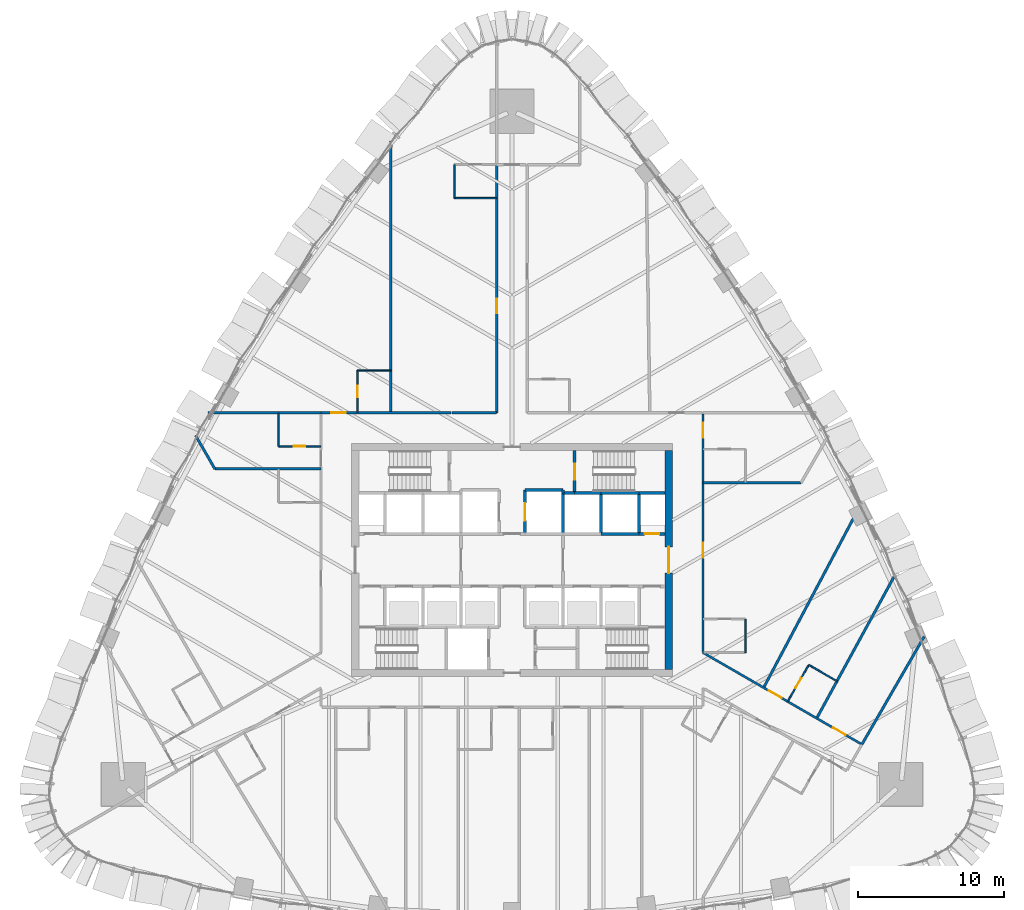
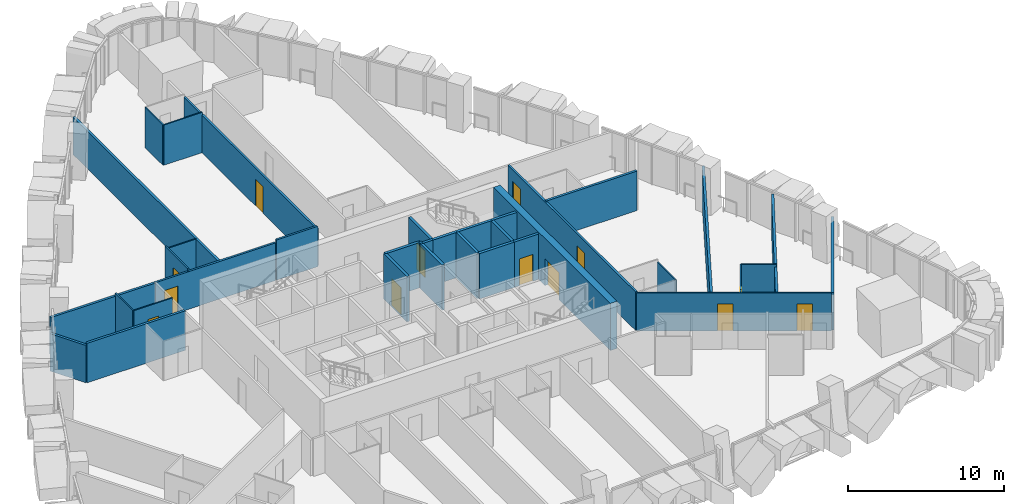
# One storey, part 16 of 22: 36 walls, 13 doors, 13 openings.
"""IFC4 building model written with IfcOpenShell, lengths in metres."""

from ifc_helpers import new_model, si_unit, direction, frame, frame_2d, origin, place, context, subcontext, project, spatial, rectangle, extrude, material, layer, layer_set, type_object, element, fill, save


model = new_model("IFC4")

# Units and contexts
model_context = context("Model", 3, precision=1e-05, world=origin(), true_north=direction((0.0, 1.0)))
body_context = subcontext(model_context, "Body", "Model", "MODEL_VIEW")
ifc_project = project(units=[si_unit("LENGTHUNIT", "METRE"), si_unit("AREAUNIT", "SQUARE_METRE"), si_unit("VOLUMEUNIT", "CUBIC_METRE"), si_unit("PLANEANGLEUNIT", "RADIAN"), si_unit("MASSUNIT", "GRAM", prefix="KILO")], contexts=[model_context])

# Site, building, storey
site_placement = place(None, origin())
site = spatial("IfcSite", under=ifc_project, at=site_placement, CompositionType="ELEMENT")
building_placement = place(site_placement, origin())
building = spatial("IfcBuilding", under=site, at=building_placement, Name="Sierra Prisma Convention Tower", CompositionType="ELEMENT")
storey_placement = place(building_placement, frame((0.0, 0.0, 66.5)))
storey = spatial("IfcBuildingStorey", under=building, at=storey_placement, Name="L12", CompositionType="ELEMENT", Elevation=66.5)

# Wall, opening, door
ifc_material_1 = material(Name="Gypsum board partition", Category="gypsum")
ifc_layer_1 = layer(ifc_material_1, 0.10009765625)
ifc_layer_set_1 = layer_set([ifc_layer_1], Name="Bathroom partition 100")
wall_type_1 = type_object("IfcWallType", Name="Bathroom partition 100", PredefinedType="PARTITIONING", material=ifc_layer_set_1)
wall_1_placement = place(storey_placement, frame((-13.1298828125, 7.800048828125, 0.0), z_axis=(0.0, 0.0, 1.0), x_axis=(-1.0, 0.0, 0.0)))
wall_1 = element("IfcWall", 1, at=wall_1_placement, inside=storey, type_object=wall_type_1, Name="Partition L12 bath 7", PredefinedType="PARTITIONING", context=body_context, shape_type="SweptSolid", body=[
    extrude(rectangle(XDim=2.8701171875, YDim=0.10009765625, at=frame_2d((1.43505859375, 0.0))), origin(), (0.0, 0.0, 1.0), 3.14990234375),
])
opening_1_placement = place(wall_1_placement, frame((1.034912109375, 0.0, 0.0)))
opening_1 = element("IfcOpeningElement", 2, at=opening_1_placement, cuts=wall_1, Name="Opening L12-D005", PredefinedType="OPENING", context=body_context, shape_type="SweptSolid", body=[
    extrude(rectangle(XDim=0.800048828125, YDim=2.10009765625, at=frame_2d((0.39990234375, 1.050048828125))), frame((0.0, 0.050048828125, 0.0), z_axis=(0.0, -1.0, 0.0), x_axis=(1.0, 0.0, 0.0)), (0.0, 0.0, 1.0), 0.10009765625),
])
ifc_material_2 = material(Name="Solid core timber door leaf", Category="wood")
door_type_1 = type_object("IfcDoorType", Name="Door 800x2100 plain", OperationType="SINGLE_SWING_LEFT", PredefinedType="DOOR", material=ifc_material_2)
door_1_placement = place(opening_1_placement, origin())
door_1 = element("IfcDoor", 3, at=door_1_placement, inside=storey, type_object=door_type_1, Name="Door L12 12", OperationType="SINGLE_SWING_RIGHT", OverallHeight=2.10009765625, OverallWidth=0.800048828125, PredefinedType="DOOR", context=body_context, shape_type="SweptSolid", body=[
    extrude(rectangle(XDim=0.800048828125, YDim=2.10009765625, at=frame_2d((0.39990234375, 1.050048828125))), frame((0.0, 0.02490234375, 0.0), z_axis=(0.0, -1.0, 0.0), x_axis=(1.0, 0.0, 0.0)), (0.0, 0.0, 1.0), 0.050048828125),
])
fill(opening_1, door_1)

# Wall
wall_2_placement = place(storey_placement, frame((-16.0, 7.800048828125, 0.0), z_axis=(0.0, 0.0, 1.0), x_axis=(0.0, 1.0, 0.0)))
element("IfcWall", 4, at=wall_2_placement, inside=storey, type_object=wall_type_1, Name="Partition L12 bath 8", PredefinedType="PARTITIONING", context=body_context, shape_type="SweptSolid", body=[
    extrude(rectangle(XDim=2.27001953125, YDim=0.10009765625, at=frame_2d((1.135009765625, 0.0))), origin(), (0.0, 0.0, 1.0), 3.14990234375),
])

# Wall, opening, door
wall_3_placement = place(storey_placement, frame((-10.60009765625, 10.1298828125, 0.0), z_axis=(0.0, 0.0, 1.0), x_axis=(0.0, 1.0, 0.0)))
wall_3 = element("IfcWall", 5, at=wall_3_placement, inside=storey, type_object=wall_type_1, Name="Partition L12 bath 11", PredefinedType="PARTITIONING", context=body_context, shape_type="SweptSolid", body=[
    extrude(rectangle(XDim=2.8701171875, YDim=0.10009765625, at=frame_2d((1.43505859375, 0.0))), origin(), (0.0, 0.0, 1.0), 3.14990234375),
])
opening_2_placement = place(wall_3_placement, frame((1.034912109375, 0.0, 0.0)))
opening_2 = element("IfcOpeningElement", 6, at=opening_2_placement, cuts=wall_3, Name="Opening L12-D004", PredefinedType="OPENING", context=body_context, shape_type="SweptSolid", body=[
    extrude(rectangle(XDim=0.800048828125, YDim=2.10009765625, at=frame_2d((0.39990234375, 1.050048828125))), frame((0.0, 0.050048828125, 0.0), z_axis=(0.0, -1.0, 0.0), x_axis=(1.0, 0.0, 0.0)), (0.0, 0.0, 1.0), 0.10009765625),
])
door_2_placement = place(opening_2_placement, origin())
door_2 = element("IfcDoor", 7, at=door_2_placement, inside=storey, type_object=door_type_1, Name="Door L12 10", OperationType="SINGLE_SWING_LEFT", OverallHeight=2.10009765625, OverallWidth=0.800048828125, PredefinedType="DOOR", context=body_context, shape_type="SweptSolid", body=[
    extrude(rectangle(XDim=0.800048828125, YDim=2.10009765625, at=frame_2d((0.39990234375, 1.050048828125))), frame((0.0, 0.02490234375, 0.0), z_axis=(0.0, -1.0, 0.0), x_axis=(1.0, 0.0, 0.0)), (0.0, 0.0, 1.0), 0.050048828125),
])
fill(opening_2, door_2)

# Walls
wall_4_placement = place(storey_placement, frame((-10.60009765625, 13.0, 0.0), z_axis=(0.0, 0.0, 1.0), x_axis=(1.0, 0.0, 0.0)))
element("IfcWall", 8, at=wall_4_placement, inside=storey, type_object=wall_type_1, Name="Partition L12 bath 12", PredefinedType="PARTITIONING", context=body_context, shape_type="SweptSolid", body=[
    extrude(rectangle(XDim=2.27001953125, YDim=0.10009765625, at=frame_2d((1.135009765625, 0.0))), origin(), (0.0, 0.0, 1.0), 2.947021484375),
])
wall_5_placement = place(storey_placement, frame((-1.080078125, 24.822509765625, 0.0), z_axis=(0.0, 0.0, 1.0), x_axis=(-1.0, 0.0, 0.0)))
element("IfcWall", 9, at=wall_5_placement, inside=storey, type_object=wall_type_1, Name="Partition L12 bath 15", PredefinedType="PARTITIONING", context=body_context, shape_type="SweptSolid", body=[
    extrude(rectangle(XDim=2.869873046875, YDim=0.10009765625, at=frame_2d((1.43505859375, 0.0))), origin(), (0.0, 0.0, 1.0), 3.14990234375),
])
wall_6_placement = place(storey_placement, frame((-3.949951171875, 24.822509765625, 0.0), z_axis=(0.0, 0.0, 1.0), x_axis=(0.0, 1.0, 0.0)))
element("IfcWall", 10, at=wall_6_placement, inside=storey, type_object=wall_type_1, Name="Partition L12 bath 16", PredefinedType="PARTITIONING", context=body_context, shape_type="SweptSolid", body=[
    extrude(rectangle(XDim=2.300048828125, YDim=0.10009765625, at=frame_2d((1.14990234375, 0.0))), origin(), (0.0, 0.0, 1.0), 3.14990234375),
])
wall_7_placement = place(storey_placement, frame((16.0, -4.05078125, 0.0), z_axis=(0.0, 0.0, 1.0), x_axis=(0.0, -1.0, 0.0)))
element("IfcWall", 11, at=wall_7_placement, inside=storey, type_object=wall_type_1, Name="Partition L12 bath 26", PredefinedType="PARTITIONING", context=body_context, shape_type="SweptSolid", body=[
    extrude(rectangle(XDim=2.300048828125, YDim=0.10009765625, at=frame_2d((1.14990234375, 0.0))), origin(), (0.0, 0.0, 1.0), 2.947021484375),
])

# Wall, opening, door
wall_8_placement = place(storey_placement, frame((18.91748046875, -9.6748046875, 0.0), z_axis=(0.0, 0.0, 1.0), x_axis=(0.499972835562, 0.866041086612, 0.0)))
wall_8 = element("IfcWall", 12, at=wall_8_placement, inside=storey, type_object=wall_type_1, Name="Partition L12 bath 32", PredefinedType="PARTITIONING", context=body_context, shape_type="SweptSolid", body=[
    extrude(rectangle(XDim=2.869873046875, YDim=0.10009765625, at=frame_2d((1.43505859375, 0.0))), origin(), (0.0, 0.0, 1.0), 3.14990234375),
])
opening_3_placement = place(wall_8_placement, frame((1.034912109375, 0.0, 0.0)))
opening_3 = element("IfcOpeningElement", 13, at=opening_3_placement, cuts=wall_8, Name="Opening L12-D014", PredefinedType="OPENING", context=body_context, shape_type="SweptSolid", body=[
    extrude(rectangle(XDim=0.800048828125, YDim=2.10009765625, at=frame_2d((0.39990234375, 1.050048828125))), frame((0.0, 0.050048828125, 0.0), z_axis=(0.0, -1.0, 0.0), x_axis=(1.0, 0.0, 0.0)), (0.0, 0.0, 1.0), 0.10009765625),
])
door_3_placement = place(opening_3_placement, origin())
door_3 = element("IfcDoor", 14, at=door_3_placement, inside=storey, type_object=door_type_1, Name="Door L12 35", OperationType="SINGLE_SWING_RIGHT", OverallHeight=2.10009765625, OverallWidth=0.800048828125, PredefinedType="DOOR", context=body_context, shape_type="SweptSolid", body=[
    extrude(rectangle(XDim=0.800048828125, YDim=2.10009765625, at=frame_2d((0.39990234375, 1.050048828125))), frame((0.0, 0.02490234375, 0.0), z_axis=(0.0, -1.0, 0.0), x_axis=(1.0, 0.0, 0.0)), (0.0, 0.0, 1.0), 0.050048828125),
])
fill(opening_3, door_3)

# Walls
wall_9_placement = place(storey_placement, frame((20.352294921875, -7.189453125, 0.0), z_axis=(0.0, 0.0, 1.0), x_axis=(0.866017224141, -0.500014167291, 0.0)))
element("IfcWall", 15, at=wall_9_placement, inside=storey, type_object=wall_type_1, Name="Partition L12 bath 33", PredefinedType="PARTITIONING", context=body_context, shape_type="SweptSolid", body=[
    extrude(rectangle(XDim=2.27001953125, YDim=0.10009765625, at=frame_2d((1.135009765625, 0.0))), origin(), (0.0, 0.0, 1.0), 3.14990234375),
])
ifc_material_3 = material(Name="Concrete C30/37", Category="concrete")
ifc_layer_2 = layer(ifc_material_3, 0.199951171875)
ifc_layer_set_2 = layer_set([ifc_layer_2], Name="Core wall RC 200 C30/37")
wall_type_2 = type_object("IfcWallType", Name="Core wall RC 200 C30/37", PredefinedType="SOLIDWALL", material=ifc_layer_set_2)
wall_10_placement = place(storey_placement, frame((3.5, 4.60009765625, 0.0), z_axis=(0.0, 0.0, 1.0), x_axis=(0.0, 1.0, 0.0)))
element("IfcWall", 16, at=wall_10_placement, inside=storey, type_object=wall_type_2, Name="Core wall L12 39", PredefinedType="SOLIDWALL", context=body_context, shape_type="SweptSolid", body=[
    extrude(rectangle(XDim=0.199951171875, YDim=0.199951171875, at=frame_2d((0.10009765625, 0.0))), origin(), (0.0, 0.0, 1.0), 3.550048828125),
])
wall_11_placement = place(storey_placement, frame((3.5, 4.800048828125, 0.0), z_axis=(0.0, 0.0, 1.0), x_axis=(-1.0, 0.0, 0.0)))
element("IfcWall", 17, at=wall_11_placement, inside=storey, type_object=wall_type_2, Name="Core wall L12 40", PredefinedType="SOLIDWALL", context=body_context, shape_type="SweptSolid", body=[
    extrude(rectangle(XDim=2.60009765625, YDim=0.199951171875, at=frame_2d((1.300048828125, 0.0))), origin(), (0.0, 0.0, 1.0), 3.550048828125),
])

# Wall, opening, door
wall_12_placement = place(storey_placement, frame((0.89990234375, 4.800048828125, 0.0), z_axis=(0.0, 0.0, 1.0), x_axis=(0.0, -1.0, 0.0)))
wall_12 = element("IfcWall", 18, at=wall_12_placement, inside=storey, type_object=wall_type_2, Name="Core wall L12 41", PredefinedType="SOLIDWALL", context=body_context, shape_type="SweptSolid", body=[
    extrude(rectangle(XDim=3.0, YDim=0.199951171875, at=frame_2d((1.5, 0.0))), origin(), (0.0, 0.0, 1.0), 3.550048828125),
])
opening_4_placement = place(wall_12_placement, frame((0.89990234375, 0.0, 0.0)))
opening_4 = element("IfcOpeningElement", 19, at=opening_4_placement, cuts=wall_12, Name="Opening L12-D023", PredefinedType="OPENING", context=body_context, shape_type="SweptSolid", body=[
    extrude(rectangle(XDim=1.199951171875, YDim=2.10009765625, at=frame_2d((0.60009765625, 1.050048828125))), frame((0.0, 0.10009765625, 0.0), z_axis=(0.0, -1.0, 0.0), x_axis=(1.0, 0.0, 0.0)), (0.0, 0.0, 1.0), 0.199951171875),
])
ifc_material_4 = material(Name="Steel fire door leaf", Category="steel")
door_type_2 = type_object("IfcDoorType", Name="Door 1200x2100 EI 90 sliding lift landing", OperationType="SLIDING_TO_LEFT", PredefinedType="DOOR", material=ifc_material_4)
door_4_placement = place(opening_4_placement, origin())
door_4 = element("IfcDoor", 20, at=door_4_placement, inside=storey, type_object=door_type_2, Name="Door L12 45", OperationType="SLIDING_TO_RIGHT", OverallHeight=2.10009765625, OverallWidth=1.199951171875, PredefinedType="DOOR", context=body_context, shape_type="SweptSolid", body=[
    extrude(rectangle(XDim=1.199951171875, YDim=2.10009765625, at=frame_2d((0.60009765625, 1.050048828125))), frame((0.0, 0.02490234375, 0.0), z_axis=(0.0, -1.0, 0.0), x_axis=(1.0, 0.0, 0.0)), (0.0, 0.0, 1.0), 0.050048828125),
])
fill(opening_4, door_4)

# Walls
wall_13_placement = place(storey_placement, frame((3.5, 1.800048828125, 0.0), z_axis=(0.0, 0.0, 1.0), x_axis=(0.0, 1.0, 0.0)))
element("IfcWall", 21, at=wall_13_placement, inside=storey, type_object=wall_type_2, Name="Core wall L12 51", PredefinedType="SOLIDWALL", context=body_context, shape_type="SweptSolid", body=[
    extrude(rectangle(XDim=2.800048828125, YDim=0.199951171875, at=frame_2d((1.39990234375, 0.0))), origin(), (0.0, 0.0, 1.0), 3.550048828125),
])
wall_14_placement = place(storey_placement, frame((4.300048828125, 4.60009765625, 0.0), z_axis=(0.0, 0.0, 1.0), x_axis=(-1.0, 0.0, 0.0)))
element("IfcWall", 22, at=wall_14_placement, inside=storey, type_object=wall_type_2, Name="Core wall L12 52", PredefinedType="SOLIDWALL", context=body_context, shape_type="SweptSolid", body=[
    extrude(rectangle(XDim=0.800048828125, YDim=0.199951171875, at=frame_2d((0.39990234375, 0.0))), origin(), (0.0, 0.0, 1.0), 3.550048828125),
])
wall_15_placement = place(storey_placement, frame((6.10009765625, 4.60009765625, 0.0), z_axis=(0.0, 0.0, 1.0), x_axis=(-1.0, 0.0, 0.0)))
element("IfcWall", 23, at=wall_15_placement, inside=storey, type_object=wall_type_2, Name="Core wall L12 53", PredefinedType="SOLIDWALL", context=body_context, shape_type="SweptSolid", body=[
    extrude(rectangle(XDim=1.800048828125, YDim=0.199951171875, at=frame_2d((0.89990234375, 0.0))), origin(), (0.0, 0.0, 1.0), 3.550048828125),
])

# Wall, opening, door
wall_16_placement = place(storey_placement, frame((4.300048828125, 7.5, 0.0), z_axis=(0.0, 0.0, 1.0), x_axis=(0.0, -1.0, 0.0)))
wall_16 = element("IfcWall", 24, at=wall_16_placement, inside=storey, type_object=wall_type_2, Name="Core wall L12 54", PredefinedType="SOLIDWALL", context=body_context, shape_type="SweptSolid", body=[
    extrude(rectangle(XDim=2.89990234375, YDim=0.199951171875, at=frame_2d((1.449951171875, 0.0))), origin(), (0.0, 0.0, 1.0), 3.550048828125),
])
opening_5_placement = place(wall_16_placement, frame((0.89990234375, 0.0, 0.0)))
opening_5 = element("IfcOpeningElement", 25, at=opening_5_placement, cuts=wall_16, Name="Opening L12-D036", PredefinedType="OPENING", context=body_context, shape_type="SweptSolid", body=[
    extrude(rectangle(XDim=1.10009765625, YDim=2.10009765625, at=frame_2d((0.550048828125, 1.050048828125))), frame((0.0, 0.10009765625, 0.0), z_axis=(0.0, -1.0, 0.0), x_axis=(1.0, 0.0, 0.0)), (0.0, 0.0, 1.0), 0.199951171875),
])
ifc_material_5 = material(Name="Steel fire door leaf", Category="steel")
door_type_3 = type_object("IfcDoorType", Name="Door 1100x2100 FD90S", OperationType="SINGLE_SWING_LEFT", PredefinedType="DOOR", material=ifc_material_5)
door_5_placement = place(opening_5_placement, origin())
door_5 = element("IfcDoor", 26, at=door_5_placement, inside=storey, type_object=door_type_3, Name="Door L12 58", OperationType="SINGLE_SWING_RIGHT", OverallHeight=2.10009765625, OverallWidth=1.10009765625, PredefinedType="DOOR", context=body_context, shape_type="SweptSolid", body=[
    extrude(rectangle(XDim=1.10009765625, YDim=2.10009765625, at=frame_2d((0.550048828125, 1.050048828125))), frame((0.0, 0.02490234375, 0.0), z_axis=(0.0, -1.0, 0.0), x_axis=(1.0, 0.0, 0.0)), (0.0, 0.0, 1.0), 0.050048828125),
])
fill(opening_5, door_5)

# Walls
wall_17_placement = place(storey_placement, frame((8.699951171875, 1.800048828125, 0.0), z_axis=(0.0, 0.0, 1.0), x_axis=(-1.0, 0.0, 0.0)))
element("IfcWall", 27, at=wall_17_placement, inside=storey, type_object=wall_type_2, Name="Core wall L12 61", PredefinedType="SOLIDWALL", context=body_context, shape_type="SweptSolid", body=[
    extrude(rectangle(XDim=2.599853515625, YDim=0.199951171875, at=frame_2d((1.2998046875, 0.0))), origin(), (0.0, 0.0, 1.0), 3.550048828125),
])
wall_18_placement = place(storey_placement, frame((6.10009765625, 1.800048828125, 0.0), z_axis=(0.0, 0.0, 1.0), x_axis=(0.0, 1.0, 0.0)))
element("IfcWall", 28, at=wall_18_placement, inside=storey, type_object=wall_type_2, Name="Core wall L12 62", PredefinedType="SOLIDWALL", context=body_context, shape_type="SweptSolid", body=[
    extrude(rectangle(XDim=2.800048828125, YDim=0.199951171875, at=frame_2d((1.39990234375, 0.0))), origin(), (0.0, 0.0, 1.0), 3.550048828125),
])
wall_19_placement = place(storey_placement, frame((8.699951171875, 4.60009765625, 0.0), z_axis=(0.0, 0.0, 1.0), x_axis=(-1.0, 0.0, 0.0)))
element("IfcWall", 29, at=wall_19_placement, inside=storey, type_object=wall_type_2, Name="Core wall L12 63", PredefinedType="SOLIDWALL", context=body_context, shape_type="SweptSolid", body=[
    extrude(rectangle(XDim=2.599853515625, YDim=0.199951171875, at=frame_2d((1.2998046875, 0.0))), origin(), (0.0, 0.0, 1.0), 3.550048828125),
])

# Wall, opening, door
wall_20_placement = place(storey_placement, frame((10.5, 1.800048828125, 0.0), z_axis=(0.0, 0.0, 1.0), x_axis=(-1.0, 0.0, 0.0)))
wall_20 = element("IfcWall", 30, at=wall_20_placement, inside=storey, type_object=wall_type_2, Name="Core wall L12 67", PredefinedType="SOLIDWALL", context=body_context, shape_type="SweptSolid", body=[
    extrude(rectangle(XDim=1.800048828125, YDim=0.199951171875, at=frame_2d((0.89990234375, 0.0))), origin(), (0.0, 0.0, 1.0), 3.550048828125),
])
opening_6_placement = place(wall_20_placement, frame((0.39990234375, 0.0, 0.0)))
opening_6 = element("IfcOpeningElement", 31, at=opening_6_placement, cuts=wall_20, Name="Opening L12-D032", PredefinedType="OPENING", context=body_context, shape_type="SweptSolid", body=[
    extrude(rectangle(XDim=1.0, YDim=2.10009765625, at=frame_2d((0.5, 1.050048828125))), frame((0.0, 0.10009765625, 0.0), z_axis=(0.0, -1.0, 0.0), x_axis=(1.0, 0.0, 0.0)), (0.0, 0.0, 1.0), 0.199951171875),
])
ifc_material_6 = material(Name="Steel fire door leaf", Category="steel")
door_type_4 = type_object("IfcDoorType", Name="Door 1000x2100 FD60S", OperationType="SINGLE_SWING_LEFT", PredefinedType="DOOR", material=ifc_material_6)
door_6_placement = place(opening_6_placement, origin())
door_6 = element("IfcDoor", 32, at=door_6_placement, inside=storey, type_object=door_type_4, Name="Door L12 54", OperationType="SINGLE_SWING_RIGHT", OverallHeight=2.10009765625, OverallWidth=1.0, PredefinedType="DOOR", context=body_context, shape_type="SweptSolid", body=[
    extrude(rectangle(XDim=1.0, YDim=2.10009765625, at=frame_2d((0.5, 1.050048828125))), frame((0.0, 0.02490234375, 0.0), z_axis=(0.0, -1.0, 0.0), x_axis=(1.0, 0.0, 0.0)), (0.0, 0.0, 1.0), 0.050048828125),
])
fill(opening_6, door_6)

# Walls
wall_21_placement = place(storey_placement, frame((8.699951171875, 4.60009765625, 0.0), z_axis=(0.0, 0.0, 1.0), x_axis=(0.0, -1.0, 0.0)))
element("IfcWall", 33, at=wall_21_placement, inside=storey, type_object=wall_type_2, Name="Core wall L12 68", PredefinedType="SOLIDWALL", context=body_context, shape_type="SweptSolid", body=[
    extrude(rectangle(XDim=2.800048828125, YDim=0.199951171875, at=frame_2d((1.39990234375, 0.0))), origin(), (0.0, 0.0, 1.0), 3.550048828125),
])
wall_22_placement = place(storey_placement, frame((10.5, 4.60009765625, 0.0), z_axis=(0.0, 0.0, 1.0), x_axis=(-1.0, 0.0, 0.0)))
element("IfcWall", 34, at=wall_22_placement, inside=storey, type_object=wall_type_2, Name="Core wall L12 69", PredefinedType="SOLIDWALL", context=body_context, shape_type="SweptSolid", body=[
    extrude(rectangle(XDim=1.800048828125, YDim=0.199951171875, at=frame_2d((0.89990234375, 0.0))), origin(), (0.0, 0.0, 1.0), 3.550048828125),
])

# Wall, opening, door
ifc_material_7 = material(Name="Concrete C60/75", Category="concrete")
ifc_layer_3 = layer(ifc_material_7, 0.5)
ifc_layer_set_3 = layer_set([ifc_layer_3], Name="Core wall RC 500 C60/75")
wall_type_3 = type_object("IfcWallType", Name="Core wall RC 500 C60/75", PredefinedType="SHEAR", material=ifc_layer_set_3)
wall_23_placement = place(storey_placement, frame((10.75, -7.5, 0.0), z_axis=(0.0, 0.0, 1.0), x_axis=(0.0, 1.0, 0.0)))
wall_23 = element("IfcWall", 35, at=wall_23_placement, inside=storey, type_object=wall_type_3, Name="Core wall E L12", PredefinedType="SHEAR", context=body_context, shape_type="SweptSolid", body=[
    extrude(rectangle(XDim=15.0, YDim=0.5, at=frame_2d((7.5, 0.0))), origin(), (0.0, 0.0, 1.0), 3.699951171875),
])
opening_7_placement = place(wall_23_placement, frame((6.60009765625, 0.0, 0.0)))
opening_7 = element("IfcOpeningElement", 36, at=opening_7_placement, cuts=wall_23, Name="Opening L12-D061", PredefinedType="OPENING", context=body_context, shape_type="SweptSolid", body=[
    extrude(rectangle(XDim=1.800048828125, YDim=2.10009765625, at=frame_2d((0.89990234375, 1.050048828125))), frame((0.0, 0.25, 0.0), z_axis=(0.0, -1.0, 0.0), x_axis=(1.0, 0.0, 0.0)), (0.0, 0.0, 1.0), 0.5),
])
ifc_material_8 = material(Name="Steel fire door leaf", Category="steel")
door_type_5 = type_object("IfcDoorType", Name="Door 1800x2100 FD60S", OperationType="DOUBLE_DOOR_SINGLE_SWING", PredefinedType="DOOR", material=ifc_material_8)
door_7_placement = place(opening_7_placement, origin())
door_7 = element("IfcDoor", 37, at=door_7_placement, inside=storey, type_object=door_type_5, Name="Door L12 62", OperationType="DOUBLE_DOOR_SINGLE_SWING", OverallHeight=2.10009765625, OverallWidth=1.800048828125, PredefinedType="DOOR", context=body_context, shape_type="SweptSolid", body=[
    extrude(rectangle(XDim=1.800048828125, YDim=2.10009765625, at=frame_2d((0.89990234375, 1.050048828125))), frame((0.0, 0.02490234375, 0.0), z_axis=(0.0, -1.0, 0.0), x_axis=(1.0, 0.0, 0.0)), (0.0, 0.0, 1.0), 0.050048828125),
])
fill(opening_7, door_7)

ifc_material_9 = material(Name="Gypsum board partition", Category="gypsum")
ifc_layer_4 = layer(ifc_material_9, 0.14990234375)
ifc_layer_set_4 = layer_set([ifc_layer_4], Name="Corridor wall 150 gypsum EI 60")
wall_type_4 = type_object("IfcWallType", Name="Corridor wall 150 gypsum EI 60", PredefinedType="PARTITIONING", material=ifc_layer_set_4)
wall_24_placement = place(storey_placement, frame((-4.179931640625, 10.10009765625, 0.0), z_axis=(0.0, 0.0, 1.0), x_axis=(-1.0, 0.0, 0.0)))
wall_24 = element("IfcWall", 38, at=wall_24_placement, inside=storey, type_object=wall_type_4, Name="Partition L12 corr 6", PredefinedType="PARTITIONING", context=body_context, shape_type="SweptSolid", body=[
    extrude(rectangle(XDim=8.920166015625, YDim=0.14990234375, at=frame_2d((4.4599609375, 0.0))), origin(), (0.0, 0.0, 1.0), 2.947021484375),
])
opening_8_placement = place(wall_24_placement, frame((7.22998046875, 0.0, 0.0)))
opening_8 = element("IfcOpeningElement", 39, at=opening_8_placement, cuts=wall_24, Name="Opening L12-D044", PredefinedType="OPENING", context=body_context, shape_type="SweptSolid", body=[
    extrude(rectangle(XDim=1.0, YDim=2.10009765625, at=frame_2d((0.5, 1.050048828125))), frame((0.0, 0.074951171875, 0.0), z_axis=(0.0, -1.0, 0.0), x_axis=(1.0, 0.0, 0.0)), (0.0, 0.0, 1.0), 0.14990234375),
])
ifc_material_10 = material(Name="Steel fire door leaf", Category="steel")
door_type_6 = type_object("IfcDoorType", Name="Door 1000x2100 FD30S", OperationType="SINGLE_SWING_LEFT", PredefinedType="DOOR", material=ifc_material_10)
door_8_placement = place(opening_8_placement, origin())
door_8 = element("IfcDoor", 40, at=door_8_placement, inside=storey, type_object=door_type_6, Name="Door L12 9", OperationType="SINGLE_SWING_RIGHT", OverallHeight=2.10009765625, OverallWidth=1.0, PredefinedType="DOOR", context=body_context, shape_type="SweptSolid", body=[
    extrude(rectangle(XDim=1.0, YDim=2.10009765625, at=frame_2d((0.5, 1.050048828125))), frame((0.0, 0.02490234375, 0.0), z_axis=(0.0, -1.0, 0.0), x_axis=(1.0, 0.0, 0.0)), (0.0, 0.0, 1.0), 0.050048828125),
])
fill(opening_8, door_8)

wall_25_placement = place(storey_placement, frame((-1.050048828125, 27.1025390625, 0.0), z_axis=(0.0, 0.0, 1.0), x_axis=(0.0, -1.0, 0.0)))
wall_25 = element("IfcWall", 41, at=wall_25_placement, inside=storey, type_object=wall_type_4, Name="Partition L12 corr 9", PredefinedType="PARTITIONING", context=body_context, shape_type="SweptSolid", body=[
    extrude(rectangle(XDim=17.00244140625, YDim=0.14990234375, at=frame_2d((8.501220703125, 0.0))), origin(), (0.0, 0.0, 1.0), 2.947021484375),
])
opening_9_placement = place(wall_25_placement, frame((9.19140625, 0.0, 0.0)))
opening_9 = element("IfcOpeningElement", 42, at=opening_9_placement, cuts=wall_25, Name="Opening L12-D043", PredefinedType="OPENING", context=body_context, shape_type="SweptSolid", body=[
    extrude(rectangle(XDim=1.0, YDim=2.10009765625, at=frame_2d((0.5, 1.050048828125))), frame((0.0, 0.074951171875, 0.0), z_axis=(0.0, -1.0, 0.0), x_axis=(1.0, 0.0, 0.0)), (0.0, 0.0, 1.0), 0.14990234375),
])
door_9_placement = place(opening_9_placement, origin())
door_9 = element("IfcDoor", 43, at=door_9_placement, inside=storey, type_object=door_type_6, Name="Door L12 7", OperationType="SINGLE_SWING_RIGHT", OverallHeight=2.10009765625, OverallWidth=1.0, PredefinedType="DOOR", context=body_context, shape_type="SweptSolid", body=[
    extrude(rectangle(XDim=1.0, YDim=2.10009765625, at=frame_2d((0.5, 1.050048828125))), frame((0.0, 0.02490234375, 0.0), z_axis=(0.0, -1.0, 0.0), x_axis=(1.0, 0.0, 0.0)), (0.0, 0.0, 1.0), 0.050048828125),
])
fill(opening_9, door_9)

# Wall
wall_26_placement = place(storey_placement, frame((-1.050048828125, 10.10009765625, 0.0), z_axis=(0.0, 0.0, 1.0), x_axis=(-1.0, 0.0, 0.0)))
element("IfcWall", 44, at=wall_26_placement, inside=storey, type_object=wall_type_4, Name="Partition L12 corr 10", PredefinedType="PARTITIONING", context=body_context, shape_type="SweptSolid", body=[
    extrude(rectangle(XDim=3.050048828125, YDim=0.14990234375, at=frame_2d((1.52490234375, 0.0))), origin(), (0.0, 0.0, 1.0), 3.14990234375),
])

# Wall, openings, doors
wall_27_placement = place(storey_placement, frame((23.92724609375, -12.60205078125, 0.0), z_axis=(0.0, 0.0, 1.0), x_axis=(-0.866019736132, 0.500009816534, 0.0)))
wall_27 = element("IfcWall", 45, at=wall_27_placement, inside=storey, type_object=wall_type_4, Name="Partition L12 corr 16", PredefinedType="PARTITIONING", context=body_context, shape_type="SweptSolid", body=[
    extrude(rectangle(XDim=12.502197265625, YDim=0.14990234375, at=frame_2d((6.2509765625, 0.0))), origin(), (0.0, 0.0, 1.0), 2.947021484375),
])
opening_10_placement = place(wall_27_placement, frame((1.211181640625, 0.0, 0.0)))
opening_10 = element("IfcOpeningElement", 46, at=opening_10_placement, cuts=wall_27, Name="Opening L12-D058", PredefinedType="OPENING", context=body_context, shape_type="SweptSolid", body=[
    extrude(rectangle(XDim=1.0, YDim=2.10009765625, at=frame_2d((0.5, 1.050048828125))), frame((0.0, 0.074951171875, 0.0), z_axis=(0.0, -1.0, 0.0), x_axis=(1.0, 0.0, 0.0)), (0.0, 0.0, 1.0), 0.14990234375),
])
opening_11_placement = place(wall_27_placement, frame((6.30224609375, 0.0, 0.0)))
opening_11 = element("IfcOpeningElement", 47, at=opening_11_placement, cuts=wall_27, Name="Opening L12-D059", PredefinedType="OPENING", context=body_context, shape_type="SweptSolid", body=[
    extrude(rectangle(XDim=1.0, YDim=2.10009765625, at=frame_2d((0.5, 1.050048828125))), frame((0.0, 0.074951171875, 0.0), z_axis=(0.0, -1.0, 0.0), x_axis=(1.0, 0.0, 0.0)), (0.0, 0.0, 1.0), 0.14990234375),
])
door_10_placement = place(opening_10_placement, origin())
door_10 = element("IfcDoor", 48, at=door_10_placement, inside=storey, type_object=door_type_6, Name="Door L12 33", OperationType="SINGLE_SWING_LEFT", OverallHeight=2.10009765625, OverallWidth=1.0, PredefinedType="DOOR", context=body_context, shape_type="SweptSolid", body=[
    extrude(rectangle(XDim=1.0, YDim=2.10009765625, at=frame_2d((0.5, 1.050048828125))), frame((0.0, 0.02490234375, 0.0), z_axis=(0.0, -1.0, 0.0), x_axis=(1.0, 0.0, 0.0)), (0.0, 0.0, 1.0), 0.050048828125),
])
fill(opening_10, door_10)
door_11_placement = place(opening_11_placement, origin())
door_11 = element("IfcDoor", 49, at=door_11_placement, inside=storey, type_object=door_type_6, Name="Door L12 34", OperationType="SINGLE_SWING_LEFT", OverallHeight=2.10009765625, OverallWidth=1.0, PredefinedType="DOOR", context=body_context, shape_type="SweptSolid", body=[
    extrude(rectangle(XDim=1.0, YDim=2.10009765625, at=frame_2d((0.5, 1.050048828125))), frame((0.0, 0.02490234375, 0.0), z_axis=(0.0, -1.0, 0.0), x_axis=(1.0, 0.0, 0.0)), (0.0, 0.0, 1.0), 0.050048828125),
])
fill(opening_11, door_11)

wall_28_placement = place(storey_placement, frame((13.10009765625, -6.350830078125, 0.0), z_axis=(0.0, 0.0, 1.0), x_axis=(0.0, 1.0, 0.0)))
wall_28 = element("IfcWall", 50, at=wall_28_placement, inside=storey, type_object=wall_type_4, Name="Partition L12 corr 17", PredefinedType="PARTITIONING", context=body_context, shape_type="SweptSolid", body=[
    extrude(rectangle(XDim=16.370849609375, YDim=0.14990234375, at=frame_2d((8.185546875, 0.0))), origin(), (0.0, 0.0, 1.0), 3.01708984375),
])
opening_12_placement = place(wall_28_placement, frame((14.7509765625, 0.0, 0.0)))
opening_12 = element("IfcOpeningElement", 51, at=opening_12_placement, cuts=wall_28, Name="Opening L12-D039", PredefinedType="OPENING", context=body_context, shape_type="SweptSolid", body=[
    extrude(rectangle(XDim=1.0, YDim=2.10009765625, at=frame_2d((0.5, 1.050048828125))), frame((0.0, 0.074951171875, 0.0), z_axis=(0.0, -1.0, 0.0), x_axis=(1.0, 0.0, 0.0)), (0.0, 0.0, 1.0), 0.14990234375),
])
opening_13_placement = place(wall_28_placement, frame((6.525390625, 0.0, 0.0)))
opening_13 = element("IfcOpeningElement", 52, at=opening_13_placement, cuts=wall_28, Name="Opening L12-D060", PredefinedType="OPENING", context=body_context, shape_type="SweptSolid", body=[
    extrude(rectangle(XDim=1.0, YDim=2.10009765625, at=frame_2d((0.5, 1.050048828125))), frame((0.0, 0.074951171875, 0.0), z_axis=(0.0, -1.0, 0.0), x_axis=(1.0, 0.0, 0.0)), (0.0, 0.0, 1.0), 0.14990234375),
])
door_12_placement = place(opening_12_placement, origin())
door_12 = element("IfcDoor", 53, at=door_12_placement, inside=storey, type_object=door_type_6, Name="Door L12 1", OperationType="SINGLE_SWING_LEFT", OverallHeight=2.10009765625, OverallWidth=1.0, PredefinedType="DOOR", context=body_context, shape_type="SweptSolid", body=[
    extrude(rectangle(XDim=1.0, YDim=2.10009765625, at=frame_2d((0.5, 1.050048828125))), frame((0.0, 0.02490234375, 0.0), z_axis=(0.0, -1.0, 0.0), x_axis=(1.0, 0.0, 0.0)), (0.0, 0.0, 1.0), 0.050048828125),
])
fill(opening_12, door_12)
door_13_placement = place(opening_13_placement, origin())
door_13 = element("IfcDoor", 54, at=door_13_placement, inside=storey, type_object=door_type_6, Name="Door L12 36", OperationType="SINGLE_SWING_RIGHT", OverallHeight=2.10009765625, OverallWidth=1.0, PredefinedType="DOOR", context=body_context, shape_type="SweptSolid", body=[
    extrude(rectangle(XDim=1.0, YDim=2.10009765625, at=frame_2d((0.5, 1.050048828125))), frame((0.0, 0.02490234375, 0.0), z_axis=(0.0, -1.0, 0.0), x_axis=(1.0, 0.0, 0.0)), (0.0, 0.0, 1.0), 0.050048828125),
])
fill(opening_13, door_13)

# Walls
ifc_material_11 = material(Name="Acoustic gypsum board partition", Category="gypsum")
ifc_layer_5 = layer(ifc_material_11, 0.175048828125)
ifc_layer_set_5 = layer_set([ifc_layer_5], Name="Guest room party wall 175 acoustic EI 60")
wall_type_5 = type_object("IfcWallType", Name="Guest room party wall 175 acoustic EI 60", PredefinedType="PARTITIONING", material=ifc_layer_set_5)
wall_29_placement = place(storey_placement, frame((-13.10009765625, 6.2490234375, 0.0), z_axis=(0.0, 0.0, 1.0), x_axis=(-1.0, 0.0, 0.0)))
element("IfcWall", 55, at=wall_29_placement, inside=storey, type_object=wall_type_5, Name="Partition L12 hparty 4", PredefinedType="PARTITIONING", context=body_context, shape_type="SweptSolid", body=[
    extrude(rectangle(XDim=7.2744140625, YDim=0.175048828125, at=frame_2d((3.63720703125, 0.0))), origin(), (0.0, 0.0, 1.0), 3.093017578125),
])
wall_30_placement = place(storey_placement, frame((-20.37451171875, 6.2490234375, 0.0), z_axis=(0.0, 0.0, 1.0), x_axis=(-0.499977931934, 0.866038144413, 0.0)))
element("IfcWall", 56, at=wall_30_placement, inside=storey, type_object=wall_type_5, Name="Partition L12 hparty 5", PredefinedType="PARTITIONING", context=body_context, shape_type="SweptSolid", body=[
    extrude(rectangle(XDim=2.64697265625, YDim=0.175048828125, at=frame_2d((1.323486328125, 0.0))), origin(), (0.0, 0.0, 1.0), 2.93408203125),
])
wall_31_placement = place(storey_placement, frame((-13.10009765625, 10.10009765625, 0.0), z_axis=(0.0, 0.0, 1.0), x_axis=(-1.0, 0.0, 0.0)))
element("IfcWall", 57, at=wall_31_placement, inside=storey, type_object=wall_type_5, Name="Partition L12 hparty 6", PredefinedType="PARTITIONING", context=body_context, shape_type="SweptSolid", body=[
    extrude(rectangle(XDim=7.734619140625, YDim=0.175048828125, at=frame_2d((3.8671875, 0.0))), origin(), (0.0, 0.0, 1.0), 2.93408203125),
])
wall_32_placement = place(storey_placement, frame((-8.300048828125, 10.10009765625, 0.0), z_axis=(0.0, 0.0, 1.0), x_axis=(0.0, 1.0, 0.0)))
element("IfcWall", 58, at=wall_32_placement, inside=storey, type_object=wall_type_5, Name="Partition L12 hparty 10", PredefinedType="PARTITIONING", context=body_context, shape_type="SweptSolid", body=[
    extrude(rectangle(XDim=18.648193359375, YDim=0.175048828125, at=frame_2d((9.32421875, 0.0))), origin(), (0.0, 0.0, 1.0), 2.93408203125),
])
wall_33_placement = place(storey_placement, frame((19.82666015625, 5.300048828125, 0.0), z_axis=(0.0, 0.0, 1.0), x_axis=(-1.0, 0.0, 0.0)))
element("IfcWall", 59, at=wall_33_placement, inside=storey, type_object=wall_type_5, Name="Partition L12 hparty 23", PredefinedType="PARTITIONING", context=body_context, shape_type="SweptSolid", body=[
    extrude(rectangle(XDim=6.7265625, YDim=0.175048828125, at=frame_2d((3.36328125, 0.0))), origin(), (0.0, 0.0, 1.0), 3.093017578125),
])
wall_34_placement = place(storey_placement, frame((17.2568359375, -8.7509765625, 0.0), z_axis=(0.0, 0.0, 1.0), x_axis=(0.468490827691, 0.883468360707, 0.0)))
element("IfcWall", 60, at=wall_34_placement, inside=storey, type_object=wall_type_5, Name="Partition L12 hparty 25", PredefinedType="PARTITIONING", context=body_context, shape_type="SweptSolid", body=[
    extrude(rectangle(XDim=14.1884765625, YDim=0.175048828125, at=frame_2d((7.09423828125, 0.0))), origin(), (0.0, 0.0, 1.0), 2.947021484375),
])
wall_35_placement = place(storey_placement, frame((26.1923828125, -1.154052734375, 0.0), z_axis=(0.0, 0.0, 1.0), x_axis=(-0.479475866819, -0.877555065587, 0.0)))
element("IfcWall", 61, at=wall_35_placement, inside=storey, type_object=wall_type_5, Name="Partition L12 hparty 26", PredefinedType="PARTITIONING", context=body_context, shape_type="SweptSolid", body=[
    extrude(rectangle(XDim=11.0498046875, YDim=0.175048828125, at=frame_2d((5.52490234375, 0.0))), origin(), (0.0, 0.0, 1.0), 2.93408203125),
])
wall_36_placement = place(storey_placement, frame((23.99658203125, -12.64208984375, 0.0), z_axis=(0.0, 0.0, 1.0), x_axis=(0.49999045727, 0.866030913212, 0.0)))
element("IfcWall", 62, at=wall_36_placement, inside=storey, type_object=wall_type_5, Name="Partition L12 hparty 27", PredefinedType="PARTITIONING", context=body_context, shape_type="SweptSolid", body=[
    extrude(rectangle(XDim=8.542724609375, YDim=0.175048828125, at=frame_2d((4.271484375, 0.0))), origin(), (0.0, 0.0, 1.0), 2.93408203125),
])

save(model, "model.ifc")
